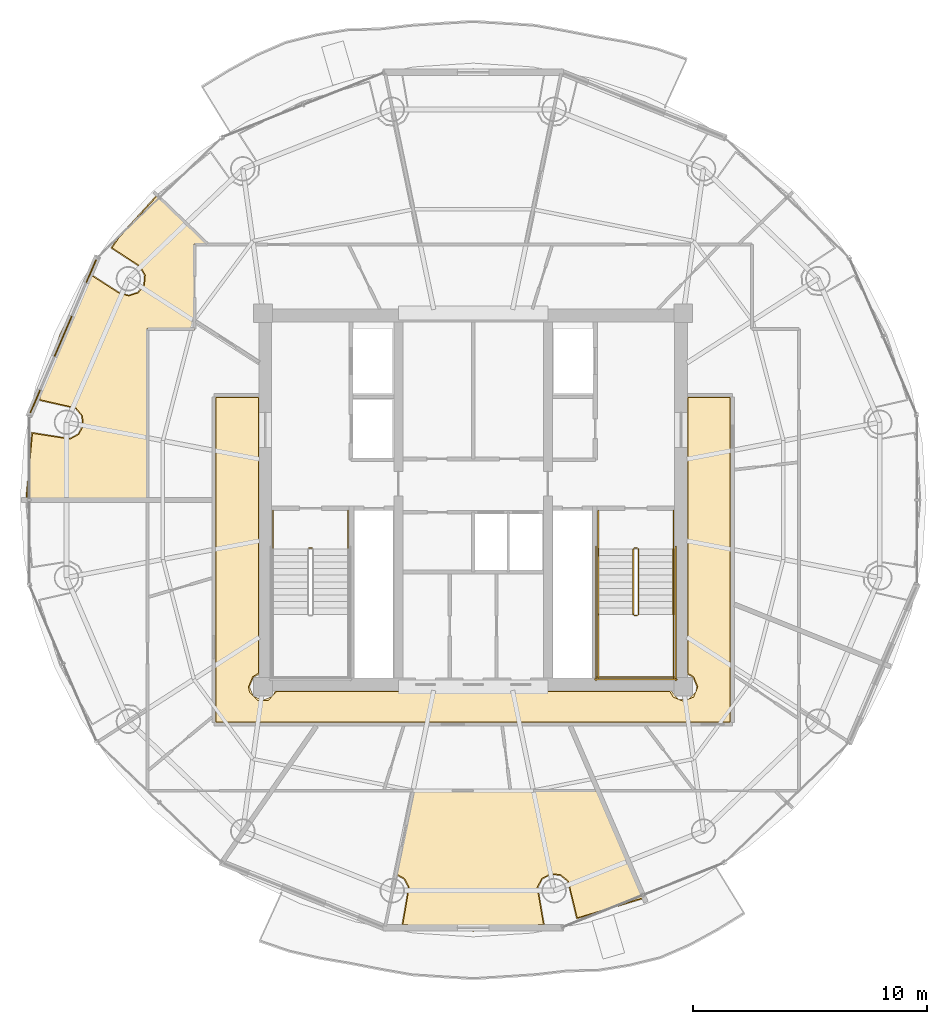
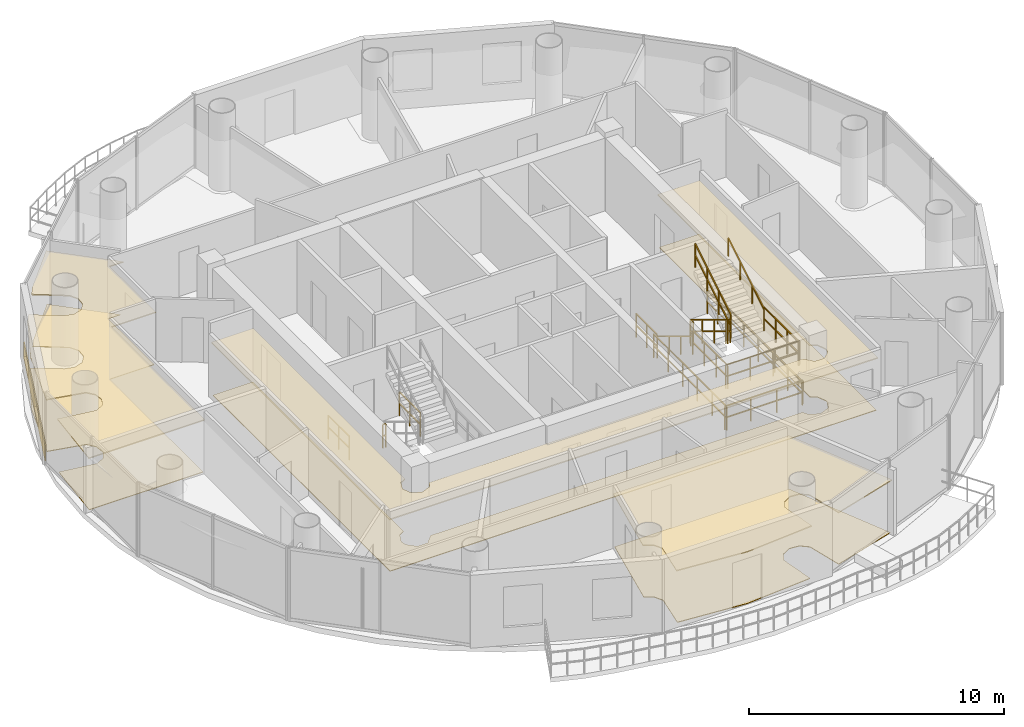
# One storey, part 23 of 24: 17 railings, 7 coverings.
"""IFC4 building model written with IfcOpenShell, lengths in metres."""

from ifc_helpers import new_model, si_unit, direction, frame, origin, origin_2d, place, context, subcontext, project, spatial, polyline, rectangle, outline, extrude, source, transform, mapped, material, layer, layer_set, type_object, element, save


model = new_model("IFC4")

# Units and contexts
model_context = context("Model", 3, precision=1e-05, world=origin(), true_north=direction((-0.2419218956, 0.970295726276)))
body_context = subcontext(model_context, "Body", "Model", "MODEL_VIEW")
ifc_project = project(units=[si_unit("LENGTHUNIT", "METRE"), si_unit("AREAUNIT", "SQUARE_METRE"), si_unit("VOLUMEUNIT", "CUBIC_METRE"), si_unit("PLANEANGLEUNIT", "RADIAN"), si_unit("MASSUNIT", "GRAM", prefix="KILO")], contexts=[model_context])

# Site, building, storey
site_placement = place(None, origin())
site = spatial("IfcSite", under=ifc_project, at=site_placement, CompositionType="ELEMENT")
building_placement = place(site_placement, origin())
building = spatial("IfcBuilding", under=site, at=building_placement, Name="Cobrevalo Terracotta Tower", CompositionType="ELEMENT")
storey_placement = place(building_placement, frame((0.0, 0.0, 274.449951171875)))
storey = spatial("IfcBuildingStorey", under=building, at=storey_placement, Name="L72", CompositionType="ELEMENT", Elevation=274.449951171875)

# Coverings
ifc_material_1 = material(Name="Engineered Brazilian hardwood flooring", Category="wood")
ifc_layer_1 = layer(ifc_material_1, 0.028076171875)
ifc_layer_set_1 = layer_set([ifc_layer_1], Name="Engineered Brazilian hardwood flooring")
covering_type_1 = type_object("IfcCoveringType", Name="Engineered Hardwood Suite Flooring 28", PredefinedType="FLOORING", material=ifc_layer_set_1)
covering_1_placement = place(storey_placement, origin())
element("IfcCovering", 1, at=covering_1_placement, inside=storey, type_object=covering_type_1, Name="Flat L72A Private Cinema Room floor finish", PredefinedType="FLOORING", context=body_context, shape_type="SweptSolid", body=[
    extrude(outline(polyline([(26.606201171875, 37.7548828125), (26.044921875, 37.7548828125), (26.044921875, 34.139892578125), (24.034912109375, 34.139892578125), (24.034912109375, 26.820068359375), (18.88134765625, 26.820068359375), (19.1357421875, 29.65087890625), (20.740966796875, 29.401611328125), (21.118408203125, 29.60693359375), (21.318115234375, 29.9873046875), (21.272705078125, 30.41455078125), (20.99755859375, 30.74462890625), (19.43505859375, 31.1005859375), (20.33544921875, 33.848876953125), (21.44140625, 36.009765625), (21.699951171875, 36.382568359375), (22.842529296875, 35.649169921875), (23.255126953125, 35.532470703125), (23.663818359375, 35.664794921875), (23.93017578125, 36.001953125), (23.964599609375, 36.43017578125), (23.7548828125, 36.805419921875), (22.5439453125, 37.599365234375), (22.830810546875, 38.01318359375), (24.47021484375, 39.81396484375), (26.606201171875, 37.7548828125)])), origin(), (0.0, 0.0, 1.0), 0.030029296875),
])
covering_2_placement = place(storey_placement, origin())
element("IfcCovering", 2, at=covering_2_placement, inside=storey, type_object=covering_type_1, Name="Flat L72C Master Bedroom floor finish", PredefinedType="FLOORING", context=body_context, shape_type="SweptSolid", body=[
    extrude(outline(polyline([(38.0, 8.380126953125), (34.994140625, 8.635498046875), (35.26416015625, 10.21630859375), (35.064453125, 10.596923828125), (34.71728515625, 10.79296875), (35.4482421875, 14.3349609375), (43.334716796875, 14.3349609375), (45.294189453125, 9.77490234375), (42.45947265625, 8.9140625), (42.074951171875, 10.49365234375), (41.74072265625, 10.763671875), (41.312744140625, 10.80224609375), (40.935546875, 10.596923828125), (40.73583984375, 10.21630859375), (41.005859375, 8.635498046875), (38.0, 8.380126953125)])), origin(), (0.0, 0.0, 1.0), 0.030029296875),
])
ifc_material_2 = material(Name="Honed terracotta and granite tile", Category="masonry")
ifc_layer_2 = layer(ifc_material_2, 0.034912109375)
ifc_layer_set_2 = layer_set([ifc_layer_2], Name="Honed terracotta and granite tile")
covering_type_2 = type_object("IfcCoveringType", Name="Honed Terracotta & Granite Interior Flooring 35", PredefinedType="FLOORING", material=ifc_layer_set_2)
covering_3_placement = place(storey_placement, origin())
element("IfcCovering", 3, at=covering_3_placement, inside=storey, type_object=covering_type_2, Name="L72 Residential Floor Corridor floor finish", PredefinedType="FLOORING", context=body_context, shape_type="SweptSolid", body=[
    extrude(outline(polyline([(26.9951171875, 31.179931640625), (28.804931640625, 31.179931640625), (28.804931640625, 19.381591796875), (28.561279296875, 19.23876953125), (28.379638671875, 18.800048828125), (28.4267578125, 18.5625), (28.7626953125, 18.226806640625), (29.2373046875, 18.226806640625), (29.58154296875, 18.60498046875), (46.41845703125, 18.60498046875), (46.561279296875, 18.361328125), (47.0, 18.1796875), (47.438720703125, 18.361328125), (47.620361328125, 18.800048828125), (47.438720703125, 19.23876953125), (47.195068359375, 19.381591796875), (47.195068359375, 31.179931640625), (49.0048828125, 31.179931640625), (49.0048828125, 17.294921875), (26.9951171875, 17.294921875), (26.9951171875, 31.179931640625)])), origin(), (0.0, 0.0, 1.0), 0.030029296875),
])
ifc_material_3 = material(Name="Acoustic perforated gypsum ceiling", Category="gypsum")
ifc_layer_3 = layer(ifc_material_3, 0.050048828125)
ifc_layer_set_3 = layer_set([ifc_layer_3], Name="Acoustic perforated gypsum ceiling")
covering_type_3 = type_object("IfcCoveringType", Name="Perforated Acoustic Gypsum Ceiling 50", PredefinedType="CEILING", material=ifc_layer_set_3)
covering_4_placement = place(storey_placement, frame((0.0, 0.0, 2.5)))
element("IfcCovering", 4, at=covering_4_placement, inside=storey, type_object=covering_type_3, Name="L72 Residential Floor Corridor acoustic ceiling", PredefinedType="CEILING", context=body_context, shape_type="SweptSolid", body=[
    extrude(outline(polyline([(26.949951171875, 31.22509765625), (28.85009765625, 31.22509765625), (28.85009765625, 19.3447265625), (28.59375, 19.206298828125), (28.425537109375, 18.800048828125), (28.59375, 18.393798828125), (29.0, 18.2255859375), (29.40625, 18.393798828125), (29.544677734375, 18.64990234375), (46.455322265625, 18.64990234375), (46.780029296875, 18.269287109375), (47.219970703125, 18.269287109375), (47.53076171875, 18.580078125), (47.574462890625, 18.800048828125), (47.40625, 19.206298828125), (47.14990234375, 19.3447265625), (47.14990234375, 31.22509765625), (49.050048828125, 31.22509765625), (49.050048828125, 17.25), (26.949951171875, 17.25), (26.949951171875, 31.22509765625)])), origin(), (0.0, 0.0, 1.0), 0.050048828125),
])
covering_5_placement = place(storey_placement, frame((0.0, 0.0, 2.5)))
element("IfcCovering", 5, at=covering_5_placement, inside=storey, type_object=covering_type_3, Name="Flat L72A Private Cinema Room acoustic ceiling", PredefinedType="CEILING", context=body_context, shape_type="SweptSolid", body=[
    extrude(outline(polyline([(26.717529296875, 37.7099609375), (26.090087890625, 37.7099609375), (26.090087890625, 34.094970703125), (24.080078125, 34.094970703125), (24.080078125, 26.77490234375), (18.833251953125, 26.77490234375), (19.100830078125, 29.703369140625), (20.731689453125, 29.44580078125), (21.086181640625, 29.638671875), (21.273681640625, 29.995849609375), (21.23095703125, 30.39697265625), (20.97265625, 30.70703125), (19.3818359375, 31.06494140625), (20.2939453125, 33.86669921875), (21.40283203125, 36.032958984375), (21.687744140625, 36.44384765625), (22.864990234375, 35.688232421875), (23.254150390625, 35.57763671875), (23.637939453125, 35.701904296875), (23.88818359375, 36.0185546875), (23.92041015625, 36.420654296875), (23.7236328125, 36.772705078125), (22.48046875, 37.586669921875), (22.795654296875, 38.041259765625), (24.468017578125, 39.87841796875), (26.717529296875, 37.7099609375)])), origin(), (0.0, 0.0, 1.0), 0.050048828125),
])
covering_6_placement = place(storey_placement, frame((0.0, 0.0, 2.5)))
element("IfcCovering", 6, at=covering_6_placement, inside=storey, type_object=covering_type_3, Name="Flat L72C Master Bedroom acoustic ceiling", PredefinedType="CEILING", context=body_context, shape_type="SweptSolid", body=[
    extrude(outline(polyline([(38.0, 8.3349609375), (34.94091796875, 8.599853515625), (35.2197265625, 10.207763671875), (35.0322265625, 10.565185546875), (34.6650390625, 10.76220703125), (35.41162109375, 14.3798828125), (43.3642578125, 14.3798828125), (45.35498046875, 9.747314453125), (42.424560546875, 8.861328125), (42.03759765625, 10.46826171875), (41.7236328125, 10.7216796875), (41.322021484375, 10.758056640625), (40.9677734375, 10.565185546875), (40.7802734375, 10.207763671875), (41.05908203125, 8.599853515625), (38.0, 8.3349609375)])), origin(), (0.0, 0.0, 1.0), 0.050048828125),
])

# Railings
ifc_material_4 = material(Name="Brushed stainless steel", Category="steel")
railing_type_1 = type_object("IfcRailingType", Name="Stainless Steel Stair Handrail 900", PredefinedType="HANDRAIL", material=ifc_material_4)
railing_1_placement = place(storey_placement, frame((43.35498046875, 24.699951171875, 0.17041015625)))
element("IfcRailing", 7, at=railing_1_placement, inside=storey, type_object=railing_type_1, Name="L72 ST-2 stair handrail 1", PredefinedType="HANDRAIL", context=body_context, shape_type="SweptSolid", body=[
    extrude(rectangle(XDim=0.048095703125, YDim=0.048095703125, at=origin_2d()), frame((0.0, 0.0, 0.8759765625), z_axis=(0.0, -0.854169791009, 0.51999420009), x_axis=(1.0, 0.0, 0.0)), (0.0, 0.0, 1.0), 3.278076171875),
    extrude(rectangle(XDim=0.0419921875, YDim=0.0419921875, at=origin_2d()), origin(), (0.0, 0.0, 1.0), 0.851806640625),
    extrude(rectangle(XDim=0.0419921875, YDim=0.0419921875, at=origin_2d()), frame((0.0, -0.933349609375, 0.568115234375)), (0.0, 0.0, 1.0), 0.851806640625),
    extrude(rectangle(XDim=0.0419921875, YDim=0.0419921875, at=origin_2d()), frame((0.0, -1.86669921875, 1.136474609375)), (0.0, 0.0, 1.0), 0.851806640625),
    extrude(rectangle(XDim=0.0419921875, YDim=0.0419921875, at=origin_2d()), frame((0.0, -2.800048828125, 1.70458984375)), (0.0, 0.0, 1.0), 0.851806640625),
])
railing_2_placement = place(storey_placement, frame((46.574951171875, 21.89990234375, 2.04541015625)))
element("IfcRailing", 8, at=railing_2_placement, inside=storey, type_object=railing_type_1, Name="L72 ST-2 stair handrail 2", PredefinedType="HANDRAIL", context=body_context, shape_type="SweptSolid", body=[
    extrude(rectangle(XDim=0.048095703125, YDim=0.048095703125, at=origin_2d()), frame((0.0, 0.0, 0.8759765625), z_axis=(0.0, 0.854169791009, 0.51999420009), x_axis=(-1.0, 0.0, 0.0)), (0.0, 0.0, 1.0), 3.278076171875),
    extrude(rectangle(XDim=0.0419921875, YDim=0.0419921875, at=origin_2d()), origin(), (0.0, 0.0, 1.0), 0.851806640625),
    extrude(rectangle(XDim=0.0419921875, YDim=0.0419921875, at=origin_2d()), frame((0.0, 0.933349609375, 0.568115234375)), (0.0, 0.0, 1.0), 0.851806640625),
    extrude(rectangle(XDim=0.0419921875, YDim=0.0419921875, at=origin_2d()), frame((0.0, 1.86669921875, 1.136474609375)), (0.0, 0.0, 1.0), 0.851806640625),
    extrude(rectangle(XDim=0.0419921875, YDim=0.0419921875, at=origin_2d()), frame((0.0, 2.800048828125, 1.70458984375)), (0.0, 0.0, 1.0), 0.851806640625),
])
ifc_material_5 = material(Name="Painted galvanized steel", Category="steel")
railing_type_2 = type_object("IfcRailingType", Name="Stair Well Guard Balustrade 1150", PredefinedType="GUARDRAIL", material=ifc_material_5)
railing_3_placement = place(storey_placement, frame((30.97509765625, 24.75, 0.0)))
element("IfcRailing", 9, at=railing_3_placement, inside=storey, type_object=railing_type_2, Name="L72 ST-1 stair guard 7", PredefinedType="GUARDRAIL", context=body_context, shape_type="SweptSolid", body=[
    extrude(rectangle(XDim=0.048095703125, YDim=0.048095703125, at=origin_2d()), frame((0.0, 0.0, 1.1259765625), z_axis=(1.0, 0.0, 0.0), x_axis=(0.0, 1.0, 0.0)), (0.0, 0.0, 1.0), 0.119873046875),
    extrude(rectangle(XDim=0.048095703125, YDim=0.048095703125, at=origin_2d()), frame((0.0, 0.0, 0.574951171875), z_axis=(1.0, 0.0, 0.0), x_axis=(0.0, 1.0, 0.0)), (0.0, 0.0, 1.0), 0.119873046875),
    extrude(rectangle(XDim=0.0419921875, YDim=0.0419921875, at=origin_2d()), origin(), (0.0, 0.0, 1.0), 1.101806640625),
    extrude(rectangle(XDim=0.0419921875, YDim=0.0419921875, at=origin_2d()), frame((0.119873046875, 0.0, 0.0)), (0.0, 0.0, 1.0), 1.101806640625),
])
for number, where, name in (
    (10, (29.425048828125, 26.35009765625, 0.0), "L72 ST-1 stair guard 8"),
    (11, (32.64501953125, 26.35009765625, 0.0), "L72 ST-1 stair guard 9"),
):
    element("IfcRailing", number, at=place(storey_placement, frame(where)), inside=storey, type_object=railing_type_2, Name=name, PredefinedType="GUARDRAIL", context=body_context, shape_type="SweptSolid", body=[
        extrude(rectangle(XDim=0.048095703125, YDim=0.048095703125, at=origin_2d()), frame((0.0, 0.0, 1.1259765625), z_axis=(0.0, -1.0, 0.0), x_axis=(1.0, 0.0, 0.0)), (0.0, 0.0, 1.0), 1.650146484375),
        extrude(rectangle(XDim=0.048095703125, YDim=0.048095703125, at=origin_2d()), frame((0.0, 0.0, 0.574951171875), z_axis=(0.0, -1.0, 0.0), x_axis=(1.0, 0.0, 0.0)), (0.0, 0.0, 1.0), 1.650146484375),
        extrude(rectangle(XDim=0.0419921875, YDim=0.0419921875, at=origin_2d()), origin(), (0.0, 0.0, 1.0), 1.101806640625),
        extrude(rectangle(XDim=0.0419921875, YDim=0.0419921875, at=origin_2d()), frame((0.0, -0.8251953125, 0.0)), (0.0, 0.0, 1.0), 1.101806640625),
        extrude(rectangle(XDim=0.0419921875, YDim=0.0419921875, at=origin_2d()), frame((0.0, -1.650146484375, 0.0)), (0.0, 0.0, 1.0), 1.101806640625),
    ])
railing_4_placement = place(storey_placement, frame((44.85498046875, 24.699951171875, 0.17041015625)))
element("IfcRailing", 12, at=railing_4_placement, inside=storey, type_object=railing_type_2, Name="L72 ST-2 stair guard 1", PredefinedType="GUARDRAIL", context=body_context, shape_type="SweptSolid", body=[
    extrude(rectangle(XDim=0.048095703125, YDim=0.048095703125, at=origin_2d()), frame((0.0, 0.0, 1.1259765625), z_axis=(0.0, -0.854169791009, 0.51999420009), x_axis=(1.0, 0.0, 0.0)), (0.0, 0.0, 1.0), 3.278076171875),
    extrude(rectangle(XDim=0.048095703125, YDim=0.048095703125, at=origin_2d()), frame((0.0, 0.0, 0.574951171875), z_axis=(0.0, -0.854169791009, 0.51999420009), x_axis=(1.0, 0.0, 0.0)), (0.0, 0.0, 1.0), 3.278076171875),
    extrude(rectangle(XDim=0.0419921875, YDim=0.0419921875, at=origin_2d()), origin(), (0.0, 0.0, 1.0), 1.101806640625),
    extrude(rectangle(XDim=0.0419921875, YDim=0.0419921875, at=origin_2d()), frame((0.0, -0.933349609375, 0.568115234375)), (0.0, 0.0, 1.0), 1.101806640625),
    extrude(rectangle(XDim=0.0419921875, YDim=0.0419921875, at=origin_2d()), frame((0.0, -1.86669921875, 1.136474609375)), (0.0, 0.0, 1.0), 1.101806640625),
    extrude(rectangle(XDim=0.0419921875, YDim=0.0419921875, at=origin_2d()), frame((0.0, -2.800048828125, 1.70458984375)), (0.0, 0.0, 1.0), 1.101806640625),
])
railing_5_placement = place(storey_placement, frame((44.905029296875, 21.85009765625, 1.875)))
element("IfcRailing", 13, at=railing_5_placement, inside=storey, type_object=railing_type_2, Name="L72 ST-2 stair guard 2", PredefinedType="GUARDRAIL", context=body_context, shape_type="SweptSolid", body=[
    extrude(rectangle(XDim=0.048095703125, YDim=0.048095703125, at=origin_2d()), frame((0.0, 0.0, 1.1259765625), z_axis=(1.0, 0.0, 0.0), x_axis=(0.0, 1.0, 0.0)), (0.0, 0.0, 1.0), 0.119873046875),
    extrude(rectangle(XDim=0.048095703125, YDim=0.048095703125, at=origin_2d()), frame((0.0, 0.0, 0.574951171875), z_axis=(1.0, 0.0, 0.0), x_axis=(0.0, 1.0, 0.0)), (0.0, 0.0, 1.0), 0.119873046875),
    extrude(rectangle(XDim=0.0419921875, YDim=0.0419921875, at=origin_2d()), origin(), (0.0, 0.0, 1.0), 1.101806640625),
    extrude(rectangle(XDim=0.0419921875, YDim=0.0419921875, at=origin_2d()), frame((0.119873046875, 0.0, 0.0)), (0.0, 0.0, 1.0), 1.101806640625),
])
for number, where, name in (
    (14, (43.35498046875, 21.89990234375, 1.875), "L72 ST-2 stair guard 3"),
    (15, (46.574951171875, 21.89990234375, 1.875), "L72 ST-2 stair guard 4"),
):
    element("IfcRailing", number, at=place(storey_placement, frame(where)), inside=storey, type_object=railing_type_2, Name=name, PredefinedType="GUARDRAIL", context=body_context, shape_type="SweptSolid", body=[
        extrude(rectangle(XDim=0.048095703125, YDim=0.048095703125, at=origin_2d()), frame((0.0, 0.0, 1.1259765625), z_axis=(0.0, -1.0, 0.0), x_axis=(1.0, 0.0, 0.0)), (0.0, 0.0, 1.0), 2.724853515625),
        extrude(rectangle(XDim=0.048095703125, YDim=0.048095703125, at=origin_2d()), frame((0.0, 0.0, 0.574951171875), z_axis=(0.0, -1.0, 0.0), x_axis=(1.0, 0.0, 0.0)), (0.0, 0.0, 1.0), 2.724853515625),
        extrude(rectangle(XDim=0.0419921875, YDim=0.0419921875, at=origin_2d()), origin(), (0.0, 0.0, 1.0), 1.101806640625),
        extrude(rectangle(XDim=0.0419921875, YDim=0.0419921875, at=origin_2d()), frame((0.0, -0.908203125, 0.0)), (0.0, 0.0, 1.0), 1.101806640625),
        extrude(rectangle(XDim=0.0419921875, YDim=0.0419921875, at=origin_2d()), frame((0.0, -1.816650390625, 0.0)), (0.0, 0.0, 1.0), 1.101806640625),
        extrude(rectangle(XDim=0.0419921875, YDim=0.0419921875, at=origin_2d()), frame((0.0, -2.724853515625, 0.0)), (0.0, 0.0, 1.0), 1.101806640625),
    ])
railing_6_placement = place(storey_placement, frame((43.304931640625, 19.22509765625, 1.875)))
element("IfcRailing", 16, at=railing_6_placement, inside=storey, type_object=railing_type_2, Name="L72 ST-2 stair guard 5", PredefinedType="GUARDRAIL", context=body_context, shape_type="SweptSolid", body=[
    extrude(rectangle(XDim=0.048095703125, YDim=0.048095703125, at=origin_2d()), frame((0.0, 0.0, 1.1259765625), z_axis=(1.0, 0.0, 0.0), x_axis=(0.0, 1.0, 0.0)), (0.0, 0.0, 1.0), 3.320068359375),
    extrude(rectangle(XDim=0.048095703125, YDim=0.048095703125, at=origin_2d()), frame((0.0, 0.0, 0.574951171875), z_axis=(1.0, 0.0, 0.0), x_axis=(0.0, 1.0, 0.0)), (0.0, 0.0, 1.0), 3.320068359375),
    extrude(rectangle(XDim=0.0419921875, YDim=0.0419921875, at=origin_2d()), origin(), (0.0, 0.0, 1.0), 1.101806640625),
    extrude(rectangle(XDim=0.0419921875, YDim=0.0419921875, at=origin_2d()), frame((1.106689453125, 0.0, 0.0)), (0.0, 0.0, 1.0), 1.101806640625),
    extrude(rectangle(XDim=0.0419921875, YDim=0.0419921875, at=origin_2d()), frame((2.21337890625, 0.0, 0.0)), (0.0, 0.0, 1.0), 1.101806640625),
    extrude(rectangle(XDim=0.0419921875, YDim=0.0419921875, at=origin_2d()), frame((3.320068359375, 0.0, 0.0)), (0.0, 0.0, 1.0), 1.101806640625),
])
railing_7_placement = place(storey_placement, frame((45.074951171875, 21.89990234375, 2.04541015625)))
element("IfcRailing", 17, at=railing_7_placement, inside=storey, type_object=railing_type_2, Name="L72 ST-2 stair guard 6", PredefinedType="GUARDRAIL", context=body_context, shape_type="SweptSolid", body=[
    extrude(rectangle(XDim=0.048095703125, YDim=0.048095703125, at=origin_2d()), frame((0.0, 0.0, 1.1259765625), z_axis=(0.0, 0.854169791009, 0.51999420009), x_axis=(-1.0, 0.0, 0.0)), (0.0, 0.0, 1.0), 3.278076171875),
    extrude(rectangle(XDim=0.048095703125, YDim=0.048095703125, at=origin_2d()), frame((0.0, 0.0, 0.574951171875), z_axis=(0.0, 0.854169791009, 0.51999420009), x_axis=(-1.0, 0.0, 0.0)), (0.0, 0.0, 1.0), 3.278076171875),
    extrude(rectangle(XDim=0.0419921875, YDim=0.0419921875, at=origin_2d()), origin(), (0.0, 0.0, 1.0), 1.101806640625),
    extrude(rectangle(XDim=0.0419921875, YDim=0.0419921875, at=origin_2d()), frame((0.0, 0.933349609375, 0.568115234375)), (0.0, 0.0, 1.0), 1.101806640625),
    extrude(rectangle(XDim=0.0419921875, YDim=0.0419921875, at=origin_2d()), frame((0.0, 1.86669921875, 1.136474609375)), (0.0, 0.0, 1.0), 1.101806640625),
    extrude(rectangle(XDim=0.0419921875, YDim=0.0419921875, at=origin_2d()), frame((0.0, 2.800048828125, 1.70458984375)), (0.0, 0.0, 1.0), 1.101806640625),
])
railing_8_placement = place(storey_placement, frame((44.905029296875, 24.75, 0.0)))
element("IfcRailing", 18, at=railing_8_placement, inside=storey, type_object=railing_type_2, Name="L72 ST-2 stair guard 7", PredefinedType="GUARDRAIL", context=body_context, shape_type="SweptSolid", body=[
    extrude(rectangle(XDim=0.048095703125, YDim=0.048095703125, at=origin_2d()), frame((0.0, 0.0, 1.1259765625), z_axis=(1.0, 0.0, 0.0), x_axis=(0.0, 1.0, 0.0)), (0.0, 0.0, 1.0), 0.119873046875),
    extrude(rectangle(XDim=0.048095703125, YDim=0.048095703125, at=origin_2d()), frame((0.0, 0.0, 0.574951171875), z_axis=(1.0, 0.0, 0.0), x_axis=(0.0, 1.0, 0.0)), (0.0, 0.0, 1.0), 0.119873046875),
    extrude(rectangle(XDim=0.0419921875, YDim=0.0419921875, at=origin_2d()), origin(), (0.0, 0.0, 1.0), 1.101806640625),
    extrude(rectangle(XDim=0.0419921875, YDim=0.0419921875, at=origin_2d()), frame((0.119873046875, 0.0, 0.0)), (0.0, 0.0, 1.0), 1.101806640625),
])
for number, where, name in (
    (19, (43.35498046875, 26.35009765625, 0.0), "L72 ST-2 stair guard 8"),
    (20, (46.574951171875, 26.35009765625, 0.0), "L72 ST-2 stair guard 9"),
):
    element("IfcRailing", number, at=place(storey_placement, frame(where)), inside=storey, type_object=railing_type_2, Name=name, PredefinedType="GUARDRAIL", context=body_context, shape_type="SweptSolid", body=[
        extrude(rectangle(XDim=0.048095703125, YDim=0.048095703125, at=origin_2d()), frame((0.0, 0.0, 1.1259765625), z_axis=(0.0, -1.0, 0.0), x_axis=(1.0, 0.0, 0.0)), (0.0, 0.0, 1.0), 1.650146484375),
        extrude(rectangle(XDim=0.048095703125, YDim=0.048095703125, at=origin_2d()), frame((0.0, 0.0, 0.574951171875), z_axis=(0.0, -1.0, 0.0), x_axis=(1.0, 0.0, 0.0)), (0.0, 0.0, 1.0), 1.650146484375),
        extrude(rectangle(XDim=0.0419921875, YDim=0.0419921875, at=origin_2d()), origin(), (0.0, 0.0, 1.0), 1.101806640625),
        extrude(rectangle(XDim=0.0419921875, YDim=0.0419921875, at=origin_2d()), frame((0.0, -0.8251953125, 0.0)), (0.0, 0.0, 1.0), 1.101806640625),
        extrude(rectangle(XDim=0.0419921875, YDim=0.0419921875, at=origin_2d()), frame((0.0, -1.650146484375, 0.0)), (0.0, 0.0, 1.0), 1.101806640625),
    ])
for number, where, name in (
    (21, (43.2548828125, 24.800048828125, 0.0), "L72 ST-2 stair guard 10"),
    (22, (46.675048828125, 24.800048828125, 0.0), "L72 ST-2 stair guard 11"),
):
    element("IfcRailing", number, at=place(storey_placement, frame(where)), inside=storey, type_object=railing_type_2, Name=name, PredefinedType="GUARDRAIL", context=body_context, shape_type="SweptSolid", body=[
        extrude(rectangle(XDim=0.048095703125, YDim=0.048095703125, at=origin_2d()), frame((0.0, 0.0, 1.1259765625), z_axis=(0.0, -1.0, 0.0), x_axis=(1.0, 0.0, 0.0)), (0.0, 0.0, 1.0), 5.72509765625),
        extrude(rectangle(XDim=0.048095703125, YDim=0.048095703125, at=origin_2d()), frame((0.0, 0.0, 0.574951171875), z_axis=(0.0, -1.0, 0.0), x_axis=(1.0, 0.0, 0.0)), (0.0, 0.0, 1.0), 5.72509765625),
        extrude(rectangle(XDim=0.0419921875, YDim=0.0419921875, at=origin_2d()), origin(), (0.0, 0.0, 1.0), 1.101806640625),
        extrude(rectangle(XDim=0.0419921875, YDim=0.0419921875, at=origin_2d()), frame((0.0, -1.14501953125, 0.0)), (0.0, 0.0, 1.0), 1.101806640625),
        extrude(rectangle(XDim=0.0419921875, YDim=0.0419921875, at=origin_2d()), frame((0.0, -2.2900390625, 0.0)), (0.0, 0.0, 1.0), 1.101806640625),
        extrude(rectangle(XDim=0.0419921875, YDim=0.0419921875, at=origin_2d()), frame((0.0, -3.43505859375, 0.0)), (0.0, 0.0, 1.0), 1.101806640625),
        extrude(rectangle(XDim=0.0419921875, YDim=0.0419921875, at=origin_2d()), frame((0.0, -4.580078125, 0.0)), (0.0, 0.0, 1.0), 1.101806640625),
        extrude(rectangle(XDim=0.0419921875, YDim=0.0419921875, at=origin_2d()), frame((0.0, -5.72509765625, 0.0)), (0.0, 0.0, 1.0), 1.101806640625),
    ])
railing_9_placement = place(storey_placement, frame((43.205078125, 19.125, 0.0)))
element("IfcRailing", 23, at=railing_9_placement, inside=storey, type_object=railing_type_2, Name="L72 ST-2 stair guard 12", PredefinedType="GUARDRAIL", context=body_context, shape_type="SweptSolid", body=[
    extrude(rectangle(XDim=0.048095703125, YDim=0.048095703125, at=origin_2d()), frame((0.0, 0.0, 1.1259765625), z_axis=(1.0, 0.0, 0.0), x_axis=(0.0, 1.0, 0.0)), (0.0, 0.0, 1.0), 3.52001953125),
    extrude(rectangle(XDim=0.048095703125, YDim=0.048095703125, at=origin_2d()), frame((0.0, 0.0, 0.574951171875), z_axis=(1.0, 0.0, 0.0), x_axis=(0.0, 1.0, 0.0)), (0.0, 0.0, 1.0), 3.52001953125),
    extrude(rectangle(XDim=0.0419921875, YDim=0.0419921875, at=origin_2d()), origin(), (0.0, 0.0, 1.0), 1.101806640625),
    extrude(rectangle(XDim=0.0419921875, YDim=0.0419921875, at=origin_2d()), frame((1.17333984375, 0.0, 0.0)), (0.0, 0.0, 1.0), 1.101806640625),
    extrude(rectangle(XDim=0.0419921875, YDim=0.0419921875, at=origin_2d()), frame((2.3466796875, 0.0, 0.0)), (0.0, 0.0, 1.0), 1.101806640625),
    extrude(rectangle(XDim=0.0419921875, YDim=0.0419921875, at=origin_2d()), frame((3.52001953125, 0.0, 0.0)), (0.0, 0.0, 1.0), 1.101806640625),
])

# Covering
ifc_material_6 = material(Name="Glazed terracotta facade cladding tile", Category="masonry")
ifc_layer_4 = layer(ifc_material_6, 0.044921875)
ifc_layer_set_4 = layer_set([ifc_layer_4], Name="Glazed terracotta facade cladding tile")
covering_type_4 = type_object("IfcCoveringType", Name="Architectural terracotta rainscreen spandrel cladding 45 mm", PredefinedType="CLADDING", material=ifc_layer_set_4)
shared_shape = source(origin(), body_context, "Body", "SweptSolid", [
    extrude(rectangle(XDim=7.125244140625, YDim=0.044921875, at=origin_2d()), origin(), (0.0, 0.0, 1.0), 0.760009765625),
])
covering_7_placement = place(storey_placement, frame((20.4482421875, 33.807373046875, 0.0400390625), z_axis=(0.0, 0.0, 1.0), x_axis=(-0.394828845134, -0.918754691444, 0.0)))
element("IfcCovering", 24, at=covering_7_placement, inside=storey, type_object=covering_type_4, Name="L72 terracotta spandrel cladding S07", PredefinedType="CLADDING", context=body_context, shape_type="MappedRepresentation", body=[
    mapped(shared_shape, transform((0.0, 0.0, 0.0), scale=1.0)),
])

save(model, "model.ifc")
